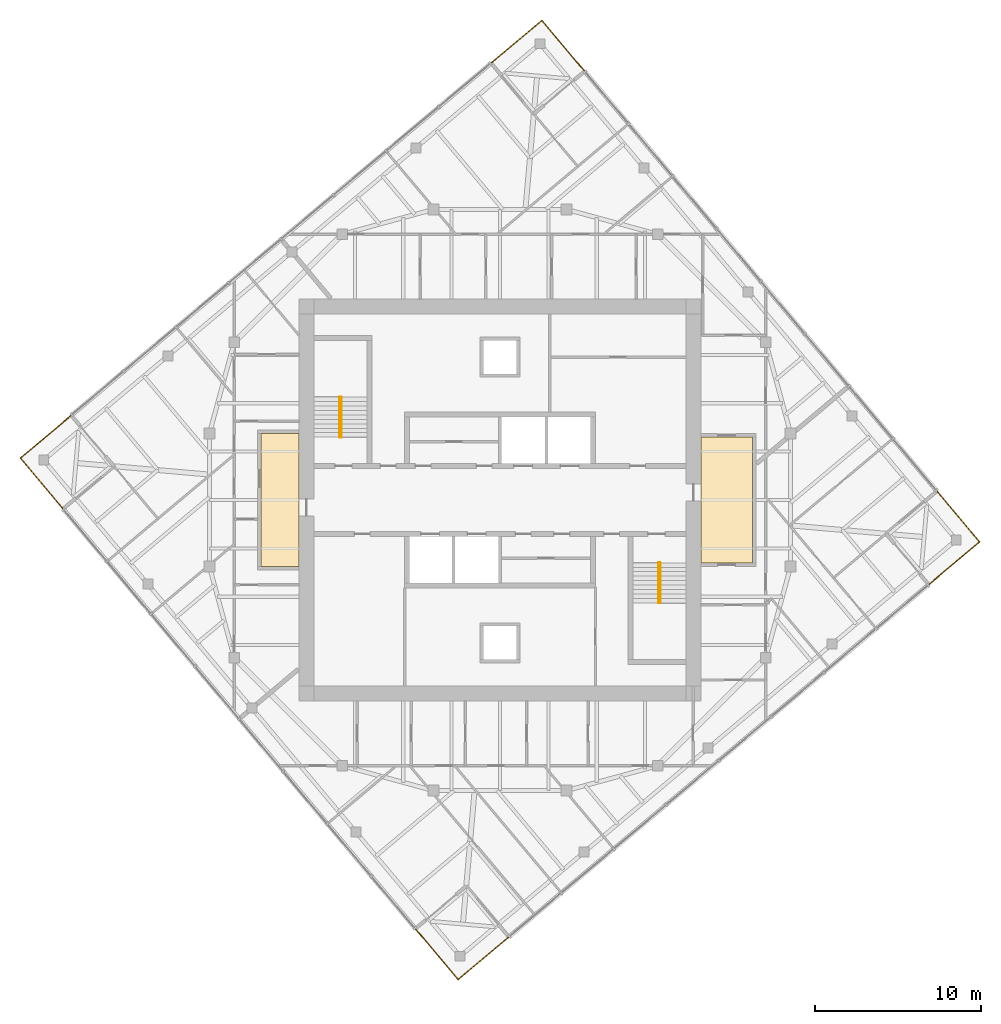
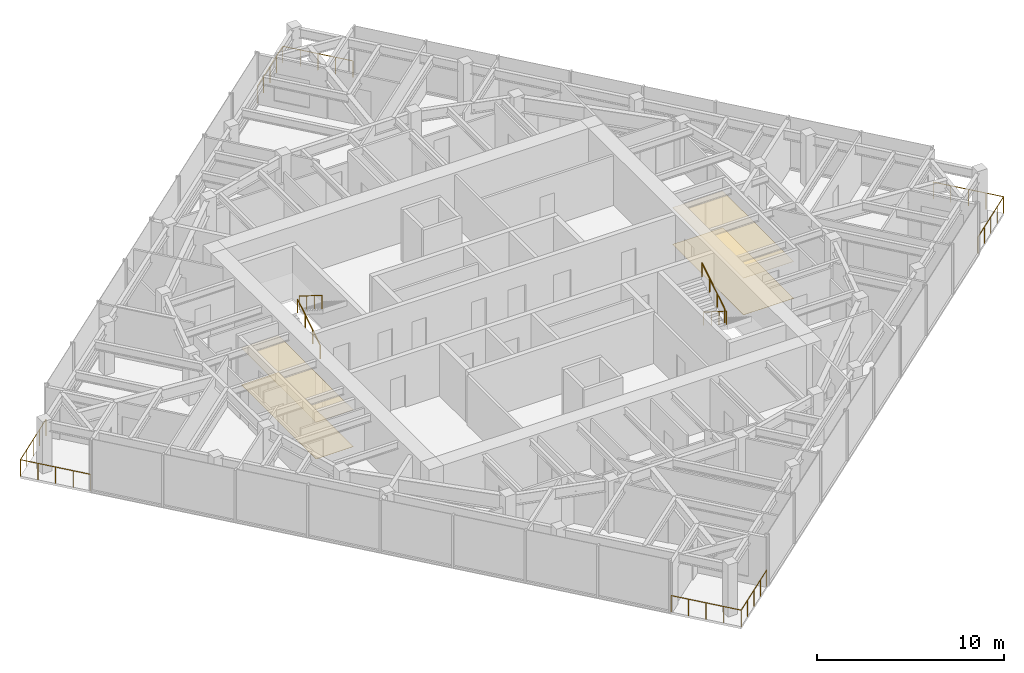
# One storey, part 12 of 12: 8 railings, 4 coverings, 2 elements without a shape of their own.
"""IFC4 building model written with IfcOpenShell, lengths in metres."""

from ifc_helpers import new_model, si_unit, direction, frame, origin, origin_2d, place, context, subcontext, project, spatial, polyline, circle, outline, extrude, material, layer, layer_set, type_object, element, aggregate, save


model = new_model("IFC4")

# Units and contexts
model_context = context("Model", 3, precision=1e-05, world=origin(), true_north=direction((0.0, 1.0)))
body_context = subcontext(model_context, "Body", "Model", "MODEL_VIEW")
ifc_project = project(units=[si_unit("LENGTHUNIT", "METRE"), si_unit("AREAUNIT", "SQUARE_METRE"), si_unit("VOLUMEUNIT", "CUBIC_METRE"), si_unit("PLANEANGLEUNIT", "RADIAN"), si_unit("MASSUNIT", "GRAM", prefix="KILO")], contexts=[model_context])

# Site, building, storey
site_placement = place(None, origin())
site = spatial("IfcSite", under=ifc_project, at=site_placement, CompositionType="ELEMENT")
building_placement = place(site_placement, origin())
building = spatial("IfcBuilding", under=site, at=building_placement, Name="Torsade Residences", CompositionType="ELEMENT")
storey_placement = place(building_placement, frame((0.0, 0.0, 286.199951171875)))
storey = spatial("IfcBuildingStorey", under=building, at=storey_placement, Name="L79", CompositionType="ELEMENT", Elevation=286.199951171875)

# Coverings
ifc_material_1 = material(Name="Nylon carpet tile on underlay", Category="textile")
ifc_layer_1 = layer(ifc_material_1, 0.010009765625)
ifc_layer_set_1 = layer_set([ifc_layer_1], Name="Nylon carpet tile on underlay")
covering_type_1 = type_object("IfcCoveringType", Name="CORRIDOR CARPET TILE 10", PredefinedType="FLOORING", material=ifc_layer_set_1)
covering_1_placement = place(storey_placement, origin())
element("IfcCovering", 1, at=covering_1_placement, inside=storey, type_object=covering_type_1, Name="Corridor carpet L79", PredefinedType="FLOORING", context=body_context, shape_type="SweptSolid", body=[
    extrude(outline(polyline([(55.199951171875, 26.199951171875), (55.199951171875, 33.800048828125), (52.10009765625, 33.800048828125), (52.10009765625, 26.199951171875), (55.199951171875, 26.199951171875)])), origin(), (0.0, 0.0, 1.0), 0.010009765625),
])
covering_2_placement = place(storey_placement, origin())
element("IfcCovering", 2, at=covering_2_placement, inside=storey, type_object=covering_type_1, Name="Corridor carpet west L79", PredefinedType="FLOORING", context=body_context, shape_type="SweptSolid", body=[
    extrude(outline(polyline([(27.89990234375, 26.0), (27.89990234375, 34.0), (25.60009765625, 34.0), (25.60009765625, 26.0), (27.89990234375, 26.0)])), origin(), (0.0, 0.0, 1.0), 0.010009765625),
])
ifc_material_2 = material(Name="Plasterboard on suspended steel grid", Category="steel")
ifc_layer_2 = layer(ifc_material_2, 0.012939453125)
ifc_layer_set_2 = layer_set([ifc_layer_2], Name="Plasterboard on suspended steel grid")
covering_type_2 = type_object("IfcCoveringType", Name="CORRIDOR SUSPENDED CEILING 13", PredefinedType="CEILING", material=ifc_layer_set_2)
covering_3_placement = place(storey_placement, frame((0.0, 0.0, 2.400146484375)))
element("IfcCovering", 3, at=covering_3_placement, inside=storey, type_object=covering_type_2, Name="Corridor ceiling L79", PredefinedType="CEILING", context=body_context, shape_type="SweptSolid", body=[
    extrude(outline(polyline([(55.199951171875, 26.199951171875), (55.199951171875, 33.800048828125), (52.10009765625, 33.800048828125), (52.10009765625, 26.199951171875), (55.199951171875, 26.199951171875)])), origin(), (0.0, 0.0, 1.0), 0.012939453125),
])
covering_4_placement = place(storey_placement, frame((0.0, 0.0, 2.400146484375)))
element("IfcCovering", 4, at=covering_4_placement, inside=storey, type_object=covering_type_2, Name="Corridor ceiling west L79", PredefinedType="CEILING", context=body_context, shape_type="SweptSolid", body=[
    extrude(outline(polyline([(27.89990234375, 26.0), (27.89990234375, 34.0), (25.60009765625, 34.0), (25.60009765625, 26.0), (27.89990234375, 26.0)])), origin(), (0.0, 0.0, 1.0), 0.012939453125),
])

# Stair, railings
ifc_material_3 = material(Name="Precast concrete 40 MPa", Category="concrete")
stair_type = type_object("IfcStairType", Name="HALF-TURN FIRE STAIR 1500x3400", PredefinedType="HALF_TURN_STAIR", material=ifc_material_3)
stair_1_placement = place(storey_placement, origin())
stair_1 = element("IfcStair", 5, at=stair_1_placement, inside=storey, type_object=stair_type, Name="Stair ST1 L79", PredefinedType="HALF_TURN_STAIR")
ifc_material_4 = material(Name="Steel handrail", Category="steel")
railing_type_1 = type_object("IfcRailingType", Name="STAIR HANDRAIL 900", PredefinedType="HANDRAIL", material=ifc_material_4)
railing_1_placement = place(storey_placement, frame((30.35009765625, 33.780029296875, 0.170166015625)))
railing_1 = element("IfcRailing", 6, at=railing_1_placement, type_object=railing_type_1, Name="Handrail ST1 flight 1 L79", PredefinedType="HANDRAIL", context=body_context, shape_type="SweptSolid", body=[
    extrude(circle(Radius=0.02392578125, at=origin_2d()), frame((0.0, 0.0, 0.8759765625), z_axis=(0.0, 0.846259816676, 0.532770422113), x_axis=(-1.0, 0.0, 0.0)), (0.0, 0.0, 1.0), 2.871337890625),
    extrude(circle(Radius=0.02099609375, at=origin_2d()), origin(), (0.0, 0.0, 1.0), 0.851806640625),
    extrude(circle(Radius=0.02099609375, at=origin_2d()), frame((0.0, 0.81005859375, 0.510009765625)), (0.0, 0.0, 1.0), 0.851806640625),
    extrude(circle(Radius=0.02099609375, at=origin_2d()), frame((0.0, 1.619873046875, 1.019775390625)), (0.0, 0.0, 1.0), 0.851806640625),
    extrude(circle(Radius=0.02099609375, at=origin_2d()), frame((0.0, 2.429931640625, 1.52978515625)), (0.0, 0.0, 1.0), 0.851806640625),
])
railing_2_placement = place(storey_placement, frame((30.449951171875, 36.2099609375, 1.8701171875)))
railing_2 = element("IfcRailing", 7, at=railing_2_placement, type_object=railing_type_1, Name="Handrail ST1 flight 2 L79", PredefinedType="HANDRAIL", context=body_context, shape_type="SweptSolid", body=[
    extrude(circle(Radius=0.02392578125, at=origin_2d()), frame((0.0, 0.0, 0.8759765625), z_axis=(0.0, -0.846221481393, 0.532831309544), x_axis=(1.0, 0.0, 0.0)), (0.0, 0.0, 1.0), 2.87158203125),
    extrude(circle(Radius=0.02099609375, at=origin_2d()), origin(), (0.0, 0.0, 1.0), 0.851806640625),
    extrude(circle(Radius=0.02099609375, at=origin_2d()), frame((0.0, -0.81005859375, 0.510009765625)), (0.0, 0.0, 1.0), 0.851806640625),
    extrude(circle(Radius=0.02099609375, at=origin_2d()), frame((0.0, -1.619873046875, 1.02001953125)), (0.0, 0.0, 1.0), 0.851806640625),
    extrude(circle(Radius=0.02099609375, at=origin_2d()), frame((0.0, -2.429931640625, 1.530029296875)), (0.0, 0.0, 1.0), 0.851806640625),
])
aggregate(stair_1, [railing_1, railing_2])

stair_2_placement = place(storey_placement, origin())
stair_2 = element("IfcStair", 8, at=stair_2_placement, inside=storey, type_object=stair_type, Name="Stair ST2 L79", PredefinedType="HALF_TURN_STAIR")
railing_3_placement = place(storey_placement, frame((49.64990234375, 26.219970703125, 0.170166015625)))
railing_3 = element("IfcRailing", 9, at=railing_3_placement, type_object=railing_type_1, Name="Handrail ST2 flight 1 L79", PredefinedType="HANDRAIL", context=body_context, shape_type="SweptSolid", body=[
    extrude(circle(Radius=0.02392578125, at=origin_2d()), frame((0.0, 0.0, 0.8759765625), z_axis=(0.0, -0.846259816676, 0.532770422113), x_axis=(1.0, 0.0, 0.0)), (0.0, 0.0, 1.0), 2.871337890625),
    extrude(circle(Radius=0.02099609375, at=origin_2d()), origin(), (0.0, 0.0, 1.0), 0.851806640625),
    extrude(circle(Radius=0.02099609375, at=origin_2d()), frame((0.0, -0.81005859375, 0.510009765625)), (0.0, 0.0, 1.0), 0.851806640625),
    extrude(circle(Radius=0.02099609375, at=origin_2d()), frame((0.0, -1.619873046875, 1.019775390625)), (0.0, 0.0, 1.0), 0.851806640625),
    extrude(circle(Radius=0.02099609375, at=origin_2d()), frame((0.0, -2.429931640625, 1.52978515625)), (0.0, 0.0, 1.0), 0.851806640625),
])
railing_4_placement = place(storey_placement, frame((49.550048828125, 23.7900390625, 1.8701171875)))
railing_4 = element("IfcRailing", 10, at=railing_4_placement, type_object=railing_type_1, Name="Handrail ST2 flight 2 L79", PredefinedType="HANDRAIL", context=body_context, shape_type="SweptSolid", body=[
    extrude(circle(Radius=0.02392578125, at=origin_2d()), frame((0.0, 0.0, 0.8759765625), z_axis=(0.0, 0.846221481393, 0.532831309544), x_axis=(-1.0, 0.0, 0.0)), (0.0, 0.0, 1.0), 2.87158203125),
    extrude(circle(Radius=0.02099609375, at=origin_2d()), origin(), (0.0, 0.0, 1.0), 0.851806640625),
    extrude(circle(Radius=0.02099609375, at=origin_2d()), frame((0.0, 0.81005859375, 0.510009765625)), (0.0, 0.0, 1.0), 0.851806640625),
    extrude(circle(Radius=0.02099609375, at=origin_2d()), frame((0.0, 1.619873046875, 1.02001953125)), (0.0, 0.0, 1.0), 0.851806640625),
    extrude(circle(Radius=0.02099609375, at=origin_2d()), frame((0.0, 2.429931640625, 1.530029296875)), (0.0, 0.0, 1.0), 0.851806640625),
])
aggregate(stair_2, [railing_3, railing_4])

# Railings
ifc_material_5 = material(Name="Laminated glass balustrade", Category="glass")
railing_type_2 = type_object("IfcRailingType", Name="TERRACE GLASS BALUSTRADE 1100", PredefinedType="BALUSTRADE", material=ifc_material_5)
railing_5_placement = place(storey_placement, frame((65.81689453125, 24.902099609375, 0.0)))
element("IfcRailing", 11, at=railing_5_placement, inside=storey, type_object=railing_type_2, Name="Terrace balustrade SE L79", PredefinedType="BALUSTRADE", context=body_context, shape_type="SweptSolid", body=[
    extrude(circle(Radius=0.02392578125, at=origin_2d()), frame((0.0, 0.0, 1.076171875), z_axis=(0.766060656284, 0.642768287094, 0.0), x_axis=(-0.642768287094, 0.766060656284, 0.0)), (0.0, 0.0, 1.0), 4.0),
    extrude(circle(Radius=0.02392578125, at=origin_2d()), frame((3.064208984375, 2.571044921875, 1.076171875), z_axis=(-0.642804103796, 0.766030602615, 0.0), x_axis=(-0.766030602615, -0.642804103796, 0.0)), (0.0, 0.0, 1.0), 4.0),
    extrude(circle(Radius=0.02099609375, at=origin_2d()), origin(), (0.0, 0.0, 1.0), 1.052001953125),
    extrude(circle(Radius=0.02099609375, at=origin_2d()), frame((0.76611328125, 0.642822265625, 0.0)), (0.0, 0.0, 1.0), 1.052001953125),
    extrude(circle(Radius=0.02099609375, at=origin_2d()), frame((1.5322265625, 1.28564453125, 0.0)), (0.0, 0.0, 1.0), 1.052001953125),
    extrude(circle(Radius=0.02099609375, at=origin_2d()), frame((2.298095703125, 1.92822265625, 0.0)), (0.0, 0.0, 1.0), 1.052001953125),
    extrude(circle(Radius=0.02099609375, at=origin_2d()), frame((3.064208984375, 2.571044921875, 0.0)), (0.0, 0.0, 1.0), 1.052001953125),
    extrude(circle(Radius=0.02099609375, at=origin_2d()), frame((2.42138671875, 3.337158203125, 0.0)), (0.0, 0.0, 1.0), 1.052001953125),
    extrude(circle(Radius=0.02099609375, at=origin_2d()), frame((1.778564453125, 4.10302734375, 0.0)), (0.0, 0.0, 1.0), 1.052001953125),
    extrude(circle(Radius=0.02099609375, at=origin_2d()), frame((1.1357421875, 4.869140625, 0.0)), (0.0, 0.0, 1.0), 1.052001953125),
    extrude(circle(Radius=0.02099609375, at=origin_2d()), frame((0.492919921875, 5.63525390625, 0.0)), (0.0, 0.0, 1.0), 1.052001953125),
])
railing_6_placement = place(storey_placement, frame((45.097900390625, 55.81689453125, 0.0)))
element("IfcRailing", 12, at=railing_6_placement, inside=storey, type_object=railing_type_2, Name="Terrace balustrade NE L79", PredefinedType="BALUSTRADE", context=body_context, shape_type="SweptSolid", body=[
    extrude(circle(Radius=0.02392578125, at=origin_2d()), frame((0.0, 0.0, 1.076171875), z_axis=(-0.642768287094, 0.766060656284, 0.0), x_axis=(-0.766060656284, -0.642768287094, 0.0)), (0.0, 0.0, 1.0), 4.0),
    extrude(circle(Radius=0.02392578125, at=origin_2d()), frame((-2.571044921875, 3.064208984375, 1.076171875), z_axis=(-0.766030602615, -0.642804103796, 0.0), x_axis=(0.642804103796, -0.766030602615, 0.0)), (0.0, 0.0, 1.0), 4.0),
    extrude(circle(Radius=0.02099609375, at=origin_2d()), origin(), (0.0, 0.0, 1.0), 1.052001953125),
    extrude(circle(Radius=0.02099609375, at=origin_2d()), frame((-0.642822265625, 0.76611328125, 0.0)), (0.0, 0.0, 1.0), 1.052001953125),
    extrude(circle(Radius=0.02099609375, at=origin_2d()), frame((-1.28564453125, 1.5322265625, 0.0)), (0.0, 0.0, 1.0), 1.052001953125),
    extrude(circle(Radius=0.02099609375, at=origin_2d()), frame((-1.92822265625, 2.298095703125, 0.0)), (0.0, 0.0, 1.0), 1.052001953125),
    extrude(circle(Radius=0.02099609375, at=origin_2d()), frame((-2.571044921875, 3.064208984375, 0.0)), (0.0, 0.0, 1.0), 1.052001953125),
    extrude(circle(Radius=0.02099609375, at=origin_2d()), frame((-3.337158203125, 2.42138671875, 0.0)), (0.0, 0.0, 1.0), 1.052001953125),
    extrude(circle(Radius=0.02099609375, at=origin_2d()), frame((-4.10302734375, 1.778564453125, 0.0)), (0.0, 0.0, 1.0), 1.052001953125),
    extrude(circle(Radius=0.02099609375, at=origin_2d()), frame((-4.869140625, 1.1357421875, 0.0)), (0.0, 0.0, 1.0), 1.052001953125),
    extrude(circle(Radius=0.02099609375, at=origin_2d()), frame((-5.63525390625, 0.492919921875, 0.0)), (0.0, 0.0, 1.0), 1.052001953125),
])
railing_7_placement = place(storey_placement, frame((14.18310546875, 35.097900390625, 0.0)))
element("IfcRailing", 13, at=railing_7_placement, inside=storey, type_object=railing_type_2, Name="Terrace balustrade NW L79", PredefinedType="BALUSTRADE", context=body_context, shape_type="SweptSolid", body=[
    extrude(circle(Radius=0.02392578125, at=origin_2d()), frame((0.0, 0.0, 1.076171875), z_axis=(-0.766060656284, -0.642768287094, 0.0), x_axis=(0.642768287094, -0.766060656284, 0.0)), (0.0, 0.0, 1.0), 4.0),
    extrude(circle(Radius=0.02392578125, at=origin_2d()), frame((-3.064208984375, -2.571044921875, 1.076171875), z_axis=(0.642804103796, -0.766030602615, 0.0), x_axis=(0.766030602615, 0.642804103796, 0.0)), (0.0, 0.0, 1.0), 4.0),
    extrude(circle(Radius=0.02099609375, at=origin_2d()), origin(), (0.0, 0.0, 1.0), 1.052001953125),
    extrude(circle(Radius=0.02099609375, at=origin_2d()), frame((-0.76611328125, -0.642822265625, 0.0)), (0.0, 0.0, 1.0), 1.052001953125),
    extrude(circle(Radius=0.02099609375, at=origin_2d()), frame((-1.5322265625, -1.28564453125, 0.0)), (0.0, 0.0, 1.0), 1.052001953125),
    extrude(circle(Radius=0.02099609375, at=origin_2d()), frame((-2.298095703125, -1.92822265625, 0.0)), (0.0, 0.0, 1.0), 1.052001953125),
    extrude(circle(Radius=0.02099609375, at=origin_2d()), frame((-3.064208984375, -2.571044921875, 0.0)), (0.0, 0.0, 1.0), 1.052001953125),
    extrude(circle(Radius=0.02099609375, at=origin_2d()), frame((-2.42138671875, -3.337158203125, 0.0)), (0.0, 0.0, 1.0), 1.052001953125),
    extrude(circle(Radius=0.02099609375, at=origin_2d()), frame((-1.778564453125, -4.10302734375, 0.0)), (0.0, 0.0, 1.0), 1.052001953125),
    extrude(circle(Radius=0.02099609375, at=origin_2d()), frame((-1.1357421875, -4.869140625, 0.0)), (0.0, 0.0, 1.0), 1.052001953125),
    extrude(circle(Radius=0.02099609375, at=origin_2d()), frame((-0.492919921875, -5.63525390625, 0.0)), (0.0, 0.0, 1.0), 1.052001953125),
])
railing_8_placement = place(storey_placement, frame((34.902099609375, 4.18310546875, 0.0)))
element("IfcRailing", 14, at=railing_8_placement, inside=storey, type_object=railing_type_2, Name="Terrace balustrade SW L79", PredefinedType="BALUSTRADE", context=body_context, shape_type="SweptSolid", body=[
    extrude(circle(Radius=0.02392578125, at=origin_2d()), frame((0.0, 0.0, 1.076171875), z_axis=(0.642768287094, -0.766060656284, 0.0), x_axis=(0.766060656284, 0.642768287094, 0.0)), (0.0, 0.0, 1.0), 4.0),
    extrude(circle(Radius=0.02392578125, at=origin_2d()), frame((2.571044921875, -3.064208984375, 1.076171875), z_axis=(0.766030602615, 0.642804103796, 0.0), x_axis=(-0.642804103796, 0.766030602615, 0.0)), (0.0, 0.0, 1.0), 4.0),
    extrude(circle(Radius=0.02099609375, at=origin_2d()), origin(), (0.0, 0.0, 1.0), 1.052001953125),
    extrude(circle(Radius=0.02099609375, at=origin_2d()), frame((0.642822265625, -0.76611328125, 0.0)), (0.0, 0.0, 1.0), 1.052001953125),
    extrude(circle(Radius=0.02099609375, at=origin_2d()), frame((1.28564453125, -1.5322265625, 0.0)), (0.0, 0.0, 1.0), 1.052001953125),
    extrude(circle(Radius=0.02099609375, at=origin_2d()), frame((1.92822265625, -2.298095703125, 0.0)), (0.0, 0.0, 1.0), 1.052001953125),
    extrude(circle(Radius=0.02099609375, at=origin_2d()), frame((2.571044921875, -3.064208984375, 0.0)), (0.0, 0.0, 1.0), 1.052001953125),
    extrude(circle(Radius=0.02099609375, at=origin_2d()), frame((3.337158203125, -2.42138671875, 0.0)), (0.0, 0.0, 1.0), 1.052001953125),
    extrude(circle(Radius=0.02099609375, at=origin_2d()), frame((4.10302734375, -1.778564453125, 0.0)), (0.0, 0.0, 1.0), 1.052001953125),
    extrude(circle(Radius=0.02099609375, at=origin_2d()), frame((4.869140625, -1.1357421875, 0.0)), (0.0, 0.0, 1.0), 1.052001953125),
    extrude(circle(Radius=0.02099609375, at=origin_2d()), frame((5.63525390625, -0.492919921875, 0.0)), (0.0, 0.0, 1.0), 1.052001953125),
])

save(model, "model.ifc")
